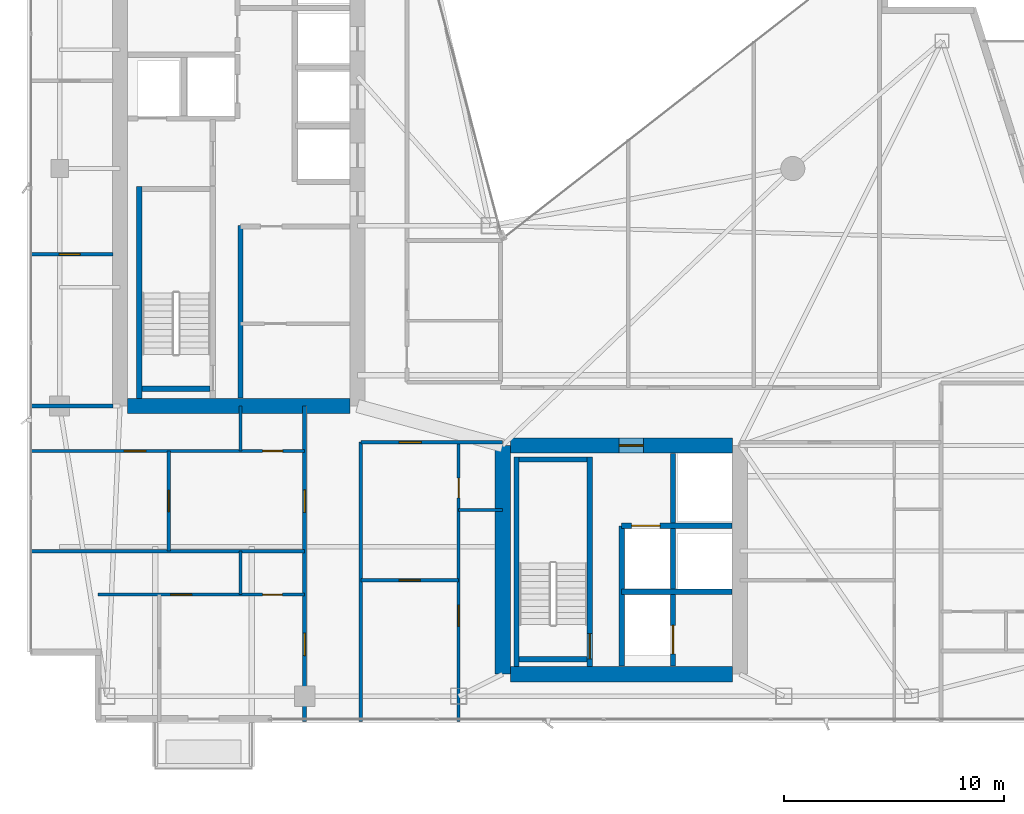
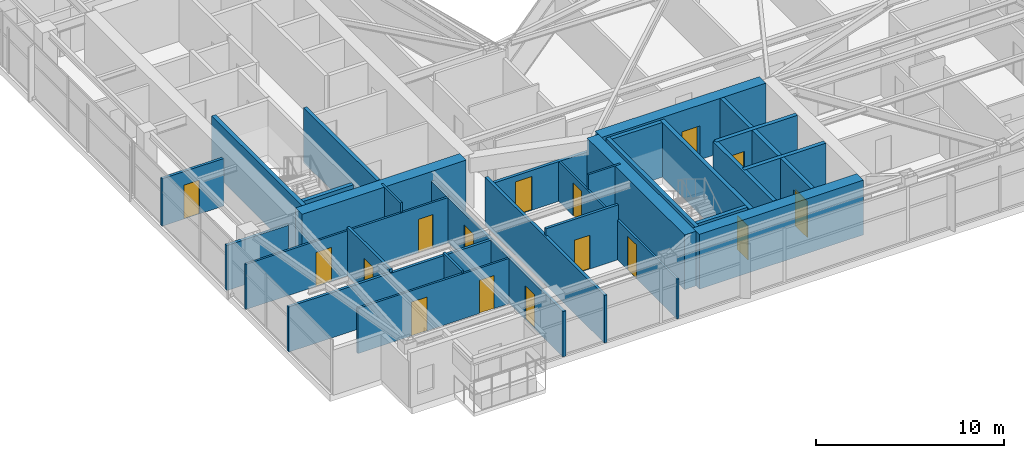
# One storey, part 23 of 29: 29 walls, 16 doors, 16 openings.
"""IFC4 building model written with IfcOpenShell, lengths in metres."""

from ifc_helpers import new_model, si_unit, direction, frame, frame_2d, origin, place, context, subcontext, project, spatial, rectangle, extrude, material, layer, layer_set, type_object, element, fill, save


model = new_model("IFC4")

# Units and contexts
model_context = context("Model", 3, precision=1e-05, world=origin(), true_north=direction((0.0, 1.0)))
body_context = subcontext(model_context, "Body", "Model", "MODEL_VIEW")
ifc_project = project(units=[si_unit("LENGTHUNIT", "METRE"), si_unit("AREAUNIT", "SQUARE_METRE"), si_unit("VOLUMEUNIT", "CUBIC_METRE"), si_unit("PLANEANGLEUNIT", "RADIAN"), si_unit("MASSUNIT", "GRAM", prefix="KILO")], contexts=[model_context])

# Site, building, storey
site_placement = place(None, origin())
site = spatial("IfcSite", under=ifc_project, at=site_placement, CompositionType="ELEMENT")
building_placement = place(site_placement, origin())
building = spatial("IfcBuilding", under=site, at=building_placement, Name="Calvorn Quay Hotel", CompositionType="ELEMENT")
storey_placement = place(building_placement, frame((0.0, 0.0, 199.60009765625)))
storey = spatial("IfcBuildingStorey", under=building, at=storey_placement, Name="L49", CompositionType="ELEMENT", Elevation=199.60009765625)

# Walls
ifc_material_1 = material(Name="Concrete C45", Category="concrete")
ifc_layer_1 = layer(ifc_material_1, 0.699951171875)
ifc_layer_set_1 = layer_set([ifc_layer_1], Name="WL-CORE-700")
wall_type_1 = type_object("IfcWallType", Name="WL-CORE-700", PredefinedType="SHEAR", material=ifc_layer_set_1)
wall_1_placement = place(storey_placement, frame((4.550048828125, 16.800048828125, 0.0), z_axis=(0.0, 0.0, 1.0), x_axis=(1.0, 0.0, 0.0)))
element("IfcWall", 1, at=wall_1_placement, inside=storey, type_object=wall_type_1, Name="West Core Shear Wall S (L49)", PredefinedType="SHEAR", context=body_context, shape_type="SweptSolid", body=[
    extrude(rectangle(XDim=10.099853515625, YDim=0.699951171875, at=frame_2d((5.0498046875, 0.0))), origin(), (0.0, 0.0, 1.0), 3.559814453125),
])
wall_2_placement = place(storey_placement, frame((21.60009765625, 4.60009765625, 0.0), z_axis=(0.0, 0.0, 1.0), x_axis=(0.0, 1.0, 0.0)))
element("IfcWall", 2, at=wall_2_placement, inside=storey, type_object=wall_type_1, Name="East Core Shear Wall W (L49)", PredefinedType="SHEAR", context=body_context, shape_type="SweptSolid", body=[
    extrude(rectangle(XDim=10.39990234375, YDim=0.699951171875, at=frame_2d((5.199951171875, 0.0))), origin(), (0.0, 0.0, 1.0), 3.559814453125),
])

# Wall, opening, door
wall_3_placement = place(storey_placement, frame((21.949951171875, 15.0, 0.0), z_axis=(0.0, 0.0, 1.0), x_axis=(1.0, 0.0, 0.0)))
wall_3 = element("IfcWall", 3, at=wall_3_placement, inside=storey, type_object=wall_type_1, Name="East Core Shear Wall N (L49)", PredefinedType="SHEAR", context=body_context, shape_type="SweptSolid", body=[
    extrude(rectangle(XDim=10.10009765625, YDim=0.699951171875, at=frame_2d((5.050048828125, 0.0))), origin(), (0.0, 0.0, 1.0), 3.559814453125),
])
opening_1_placement = place(wall_3_placement, frame((4.949951171875, 0.0, 0.0)))
opening_1 = element("IfcOpeningElement", 4, at=opening_1_placement, cuts=wall_3, Name="Opening D-L49-FLE", PredefinedType="OPENING", context=body_context, shape_type="SweptSolid", body=[
    extrude(rectangle(XDim=1.10009765625, YDim=2.199951171875, at=frame_2d((0.550048828125, 1.10009765625))), frame((0.0, 0.35986328125, 0.0), z_axis=(0.0, -1.0, 0.0), x_axis=(1.0, 0.0, 0.0)), (0.0, 0.0, 1.0), 0.719970703125),
])
ifc_material_2 = material(Name="Smoke-Sealed Steel Class A Fire Door", Category="steel")
door_type_1 = type_object("IfcDoorType", Name="DR-FFLOBBY-1100", OperationType="NOTDEFINED", PredefinedType="DOOR", material=ifc_material_2)
door_1_placement = place(opening_1_placement, origin())
door_1 = element("IfcDoor", 5, at=door_1_placement, inside=storey, type_object=door_type_1, Name="East Firefighting Lobby Fire Door (L49)", OperationType="SINGLE_SWING_LEFT", OverallHeight=2.199951171875, OverallWidth=1.10009765625, PredefinedType="DOOR", context=body_context, shape_type="SweptSolid", body=[
    extrude(rectangle(XDim=1.10009765625, YDim=2.199951171875, at=frame_2d((0.550048828125, 1.10009765625))), frame((0.0, 0.02490234375, 0.0), z_axis=(0.0, -1.0, 0.0), x_axis=(1.0, 0.0, 0.0)), (0.0, 0.0, 1.0), 0.050048828125),
])
fill(opening_1, door_1)

# Walls
wall_4_placement = place(storey_placement, frame((21.949951171875, 4.60009765625, 0.0), z_axis=(0.0, 0.0, 1.0), x_axis=(1.0, 0.0, 0.0)))
element("IfcWall", 6, at=wall_4_placement, inside=storey, type_object=wall_type_1, Name="East Core Shear Wall S (L49)", PredefinedType="SHEAR", context=body_context, shape_type="SweptSolid", body=[
    extrude(rectangle(XDim=10.10009765625, YDim=0.699951171875, at=frame_2d((5.050048828125, 0.0))), origin(), (0.0, 0.0, 1.0), 3.559814453125),
])
ifc_material_3 = material(Name="Acoustic Fireboard Steel-Stud Partition", Category="steel")
ifc_layer_2 = layer(ifc_material_3, 0.179931640625)
ifc_layer_set_2 = layer_set([ifc_layer_2], Name="WL-CORR-FIRE-180")
wall_type_2 = type_object("IfcWallType", Name="WL-CORR-FIRE-180", PredefinedType="PARTITIONING", material=ifc_layer_set_2)
wall_5_placement = place(storey_placement, frame((0.080078125, 16.800048828125, 0.0), z_axis=(0.0, 0.0, 1.0), x_axis=(1.0, 0.0, 0.0)))
element("IfcWall", 7, at=wall_5_placement, inside=storey, type_object=wall_type_2, Name="Partition Wall L49-WL-WBAY-S-WALL", PredefinedType="PARTITIONING", context=body_context, shape_type="SweptSolid", body=[
    extrude(rectangle(XDim=3.7998046875, YDim=0.179931640625, at=frame_2d((1.89990234375, 0.0))), origin(), (0.0, 0.0, 1.0), 2.93994140625),
])

# Wall, openings, doors
wall_6_placement = place(storey_placement, frame((12.60009765625, 2.43994140625, 0.0), z_axis=(0.0, 0.0, 1.0), x_axis=(0.0, 1.0, 0.0)))
wall_6 = element("IfcWall", 8, at=wall_6_placement, inside=storey, type_object=wall_type_2, Name="Partition Wall L49-WL-CORR-SW-LEG-W", PredefinedType="PARTITIONING", context=body_context, shape_type="SweptSolid", body=[
    extrude(rectangle(XDim=14.360107421875, YDim=0.179931640625, at=frame_2d((7.18017578125, 0.0))), origin(), (0.0, 0.0, 1.0), 2.93994140625),
])
opening_2_placement = place(wall_6_placement, frame((3.010009765625, 0.0, 0.0)))
opening_2 = element("IfcOpeningElement", 9, at=opening_2_placement, cuts=wall_6, Name="Opening D-L49-U01", PredefinedType="OPENING", context=body_context, shape_type="SweptSolid", body=[
    extrude(rectangle(XDim=1.02001953125, YDim=2.199951171875, at=frame_2d((0.510009765625, 1.10009765625))), frame((0.0, 0.099853515625, 0.0), z_axis=(0.0, -1.0, 0.0), x_axis=(1.0, 0.0, 0.0)), (0.0, 0.0, 1.0), 0.199951171875),
])
opening_3_placement = place(wall_6_placement, frame((9.52001953125, 0.0, 0.0)))
opening_3 = element("IfcOpeningElement", 10, at=opening_3_placement, cuts=wall_6, Name="Opening D-L49-U02", PredefinedType="OPENING", context=body_context, shape_type="SweptSolid", body=[
    extrude(rectangle(XDim=1.02001953125, YDim=2.199951171875, at=frame_2d((0.510009765625, 1.10009765625))), frame((0.0, 0.099853515625, 0.0), z_axis=(0.0, -1.0, 0.0), x_axis=(1.0, 0.0, 0.0)), (0.0, 0.0, 1.0), 0.199951171875),
])
ifc_material_4 = material(Name="Solid-Core Walnut Veneer Hotel Fire Door")
door_type_2 = type_object("IfcDoorType", Name="DR-GUEST-ENTRY-1020", OperationType="NOTDEFINED", PredefinedType="DOOR", material=ifc_material_4)
door_2_placement = place(opening_2_placement, origin())
door_2 = element("IfcDoor", 11, at=door_2_placement, inside=storey, type_object=door_type_2, Name="South-West Unit Door U01 (L49)", OperationType="SINGLE_SWING_LEFT", OverallHeight=2.199951171875, OverallWidth=1.02001953125, PredefinedType="DOOR", context=body_context, shape_type="SweptSolid", body=[
    extrude(rectangle(XDim=1.02001953125, YDim=2.199951171875, at=frame_2d((0.510009765625, 1.10009765625))), frame((0.0, 0.02490234375, 0.0), z_axis=(0.0, -1.0, 0.0), x_axis=(1.0, 0.0, 0.0)), (0.0, 0.0, 1.0), 0.050048828125),
])
fill(opening_2, door_2)
door_3_placement = place(opening_3_placement, origin())
door_3 = element("IfcDoor", 12, at=door_3_placement, inside=storey, type_object=door_type_2, Name="South-West Unit Door U02 (L49)", OperationType="SINGLE_SWING_RIGHT", OverallHeight=2.199951171875, OverallWidth=1.02001953125, PredefinedType="DOOR", context=body_context, shape_type="SweptSolid", body=[
    extrude(rectangle(XDim=1.02001953125, YDim=2.199951171875, at=frame_2d((0.510009765625, 1.10009765625))), frame((0.0, 0.02490234375, 0.0), z_axis=(0.0, -1.0, 0.0), x_axis=(1.0, 0.0, 0.0)), (0.0, 0.0, 1.0), 0.050048828125),
])
fill(opening_3, door_3)

# Wall
wall_7_placement = place(storey_placement, frame((15.14990234375, 2.43994140625, 0.0), z_axis=(0.0, 0.0, 1.0), x_axis=(0.0, 1.0, 0.0)))
element("IfcWall", 13, at=wall_7_placement, inside=storey, type_object=wall_type_2, Name="Partition Wall L49-WL-CORR-SW-W", PredefinedType="PARTITIONING", context=body_context, shape_type="SweptSolid", body=[
    extrude(rectangle(XDim=12.7099609375, YDim=0.179931640625, at=frame_2d((6.35498046875, 0.0))), origin(), (0.0, 0.0, 1.0), 3.08984375),
])

# Wall, opening, door
wall_8_placement = place(storey_placement, frame((15.14990234375, 15.14990234375, 0.0), z_axis=(0.0, 0.0, 1.0), x_axis=(1.0, 0.0, 0.0)))
wall_8 = element("IfcWall", 14, at=wall_8_placement, inside=storey, type_object=wall_type_2, Name="Partition Wall L49-WL-SC-CORR-S", PredefinedType="PARTITIONING", context=body_context, shape_type="SweptSolid", body=[
    extrude(rectangle(XDim=6.4501953125, YDim=0.179931640625, at=frame_2d((3.22509765625, 0.0))), origin(), (0.0, 0.0, 1.0), 2.58984375),
])
opening_4_placement = place(wall_8_placement, frame((1.739990234375, 0.0, 0.0)))
opening_4 = element("IfcOpeningElement", 15, at=opening_4_placement, cuts=wall_8, Name="Opening D-L49-U03", PredefinedType="OPENING", context=body_context, shape_type="SweptSolid", body=[
    extrude(rectangle(XDim=1.02001953125, YDim=2.199951171875, at=frame_2d((0.510009765625, 1.10009765625))), frame((0.0, 0.099853515625, 0.0), z_axis=(0.0, -1.0, 0.0), x_axis=(1.0, 0.0, 0.0)), (0.0, 0.0, 1.0), 0.199951171875),
])
door_4_placement = place(opening_4_placement, origin())
door_4 = element("IfcDoor", 16, at=door_4_placement, inside=storey, type_object=door_type_2, Name="Harbour Central Unit Door (L49)", OperationType="SINGLE_SWING_LEFT", OverallHeight=2.199951171875, OverallWidth=1.02001953125, PredefinedType="DOOR", context=body_context, shape_type="SweptSolid", body=[
    extrude(rectangle(XDim=1.02001953125, YDim=2.199951171875, at=frame_2d((0.510009765625, 1.10009765625))), frame((0.0, 0.02490234375, 0.0), z_axis=(0.0, -1.0, 0.0), x_axis=(1.0, 0.0, 0.0)), (0.0, 0.0, 1.0), 0.050048828125),
])
fill(opening_4, door_4)

# Wall
ifc_material_5 = material(Name="Moisture-Resistant Tile-Backed Partition")
ifc_layer_3 = layer(ifc_material_5, 0.125)
ifc_layer_set_3 = layer_set([ifc_layer_3], Name="WL-ENSUITE-125")
wall_type_3 = type_object("IfcWallType", Name="WL-ENSUITE-125", PredefinedType="PARTITIONING", material=ifc_layer_set_3)
wall_9_placement = place(storey_placement, frame((9.679931640625, 8.219970703125, 0.0), z_axis=(0.0, 0.0, 1.0), x_axis=(0.0, 1.0, 0.0)))
element("IfcWall", 17, at=wall_9_placement, inside=storey, type_object=wall_type_3, Name="Partition Wall L49-WL-U01-BDV", PredefinedType="PARTITIONING", context=body_context, shape_type="SweptSolid", body=[
    extrude(rectangle(XDim=1.97998046875, YDim=0.125, at=frame_2d((0.989990234375, 0.0))), origin(), (0.0, 0.0, 1.0), 3.08984375),
])

# Wall, openings, doors
wall_10_placement = place(storey_placement, frame((3.199951171875, 8.219970703125, 0.0), z_axis=(0.0, 0.0, 1.0), x_axis=(1.0, 0.0, 0.0)))
wall_10 = element("IfcWall", 18, at=wall_10_placement, inside=storey, type_object=wall_type_3, Name="Partition Wall L49-WL-U01-BH", PredefinedType="PARTITIONING", context=body_context, shape_type="SweptSolid", body=[
    extrude(rectangle(XDim=9.400146484375, YDim=0.125, at=frame_2d((4.7001953125, 0.0))), origin(), (0.0, 0.0, 1.0), 2.93994140625),
])
opening_5_placement = place(wall_10_placement, frame((3.300048828125, 0.0, 0.0)))
opening_5 = element("IfcOpeningElement", 19, at=opening_5_placement, cuts=wall_10, Name="Opening D-L49-S01", PredefinedType="OPENING", context=body_context, shape_type="SweptSolid", body=[
    extrude(rectangle(XDim=0.9599609375, YDim=2.199951171875, at=frame_2d((0.47998046875, 1.10009765625))), frame((0.0, 0.072509765625, 0.0), z_axis=(0.0, -1.0, 0.0), x_axis=(1.0, 0.0, 0.0)), (0.0, 0.0, 1.0), 0.14501953125),
])
opening_6_placement = place(wall_10_placement, frame((7.489990234375, 0.0, 0.0)))
opening_6 = element("IfcOpeningElement", 20, at=opening_6_placement, cuts=wall_10, Name="Opening D-L49-E01", PredefinedType="OPENING", context=body_context, shape_type="SweptSolid", body=[
    extrude(rectangle(XDim=0.89990234375, YDim=2.14990234375, at=frame_2d((0.449951171875, 1.074951171875))), frame((0.0, 0.072509765625, 0.0), z_axis=(0.0, -1.0, 0.0), x_axis=(1.0, 0.0, 0.0)), (0.0, 0.0, 1.0), 0.14501953125),
])
ifc_material_6 = material(Name="Moisture-Sealed Timber En-Suite Door", Category="wood")
door_type_3 = type_object("IfcDoorType", Name="DR-ENSUITE-900", OperationType="NOTDEFINED", PredefinedType="DOOR", material=ifc_material_6)
door_5_placement = place(opening_6_placement, origin())
door_5 = element("IfcDoor", 21, at=door_5_placement, inside=storey, type_object=door_type_3, Name="En-Suite Door 01", OperationType="SINGLE_SWING_RIGHT", OverallHeight=2.14990234375, OverallWidth=0.89990234375, PredefinedType="DOOR", context=body_context, shape_type="SweptSolid", body=[
    extrude(rectangle(XDim=0.89990234375, YDim=2.14990234375, at=frame_2d((0.449951171875, 1.074951171875))), frame((0.0, 0.02490234375, 0.0), z_axis=(0.0, -1.0, 0.0), x_axis=(1.0, 0.0, 0.0)), (0.0, 0.0, 1.0), 0.050048828125),
])
fill(opening_6, door_5)
ifc_material_7 = material(Name="Solid Timber Internal Suite Door", Category="wood")
door_type_4 = type_object("IfcDoorType", Name="DR-SUITE-INT-960", OperationType="NOTDEFINED", PredefinedType="DOOR", material=ifc_material_7)
door_6_placement = place(opening_5_placement, origin())
door_6 = element("IfcDoor", 22, at=door_6_placement, inside=storey, type_object=door_type_4, Name="Executive Study Door 01", OperationType="SINGLE_SWING_LEFT", OverallHeight=2.199951171875, OverallWidth=0.9599609375, PredefinedType="DOOR", context=body_context, shape_type="SweptSolid", body=[
    extrude(rectangle(XDim=0.9599609375, YDim=2.199951171875, at=frame_2d((0.47998046875, 1.10009765625))), frame((0.0, 0.02490234375, 0.0), z_axis=(0.0, -1.0, 0.0), x_axis=(1.0, 0.0, 0.0)), (0.0, 0.0, 1.0), 0.050048828125),
])
fill(opening_5, door_6)

# Wall
wall_11_placement = place(storey_placement, frame((9.679931640625, 14.75, 0.0), z_axis=(0.0, 0.0, 1.0), x_axis=(0.0, 1.0, 0.0)))
element("IfcWall", 23, at=wall_11_placement, inside=storey, type_object=wall_type_3, Name="Partition Wall L49-WL-U02-BDV", PredefinedType="PARTITIONING", context=body_context, shape_type="SweptSolid", body=[
    extrude(rectangle(XDim=2.050048828125, YDim=0.125, at=frame_2d((1.02490234375, 0.0))), origin(), (0.0, 0.0, 1.0), 3.559814453125),
])

# Wall, openings, doors
wall_12_placement = place(storey_placement, frame((0.080078125, 14.75, 0.0), z_axis=(0.0, 0.0, 1.0), x_axis=(1.0, 0.0, 0.0)))
wall_12 = element("IfcWall", 24, at=wall_12_placement, inside=storey, type_object=wall_type_3, Name="Partition Wall L49-WL-U02-BH", PredefinedType="PARTITIONING", context=body_context, shape_type="SweptSolid", body=[
    extrude(rectangle(XDim=12.52001953125, YDim=0.125, at=frame_2d((6.260009765625, 0.0))), origin(), (0.0, 0.0, 1.0), 2.93994140625),
])
opening_7_placement = place(wall_12_placement, frame((4.320068359375, 0.0, 0.0)))
opening_7 = element("IfcOpeningElement", 25, at=opening_7_placement, cuts=wall_12, Name="Opening D-L49-S02", PredefinedType="OPENING", context=body_context, shape_type="SweptSolid", body=[
    extrude(rectangle(XDim=0.9599609375, YDim=2.199951171875, at=frame_2d((0.47998046875, 1.10009765625))), frame((0.0, 0.072509765625, 0.0), z_axis=(0.0, -1.0, 0.0), x_axis=(1.0, 0.0, 0.0)), (0.0, 0.0, 1.0), 0.14501953125),
])
opening_8_placement = place(wall_12_placement, frame((10.610107421875, 0.0, 0.0)))
opening_8 = element("IfcOpeningElement", 26, at=opening_8_placement, cuts=wall_12, Name="Opening D-L49-E02", PredefinedType="OPENING", context=body_context, shape_type="SweptSolid", body=[
    extrude(rectangle(XDim=0.89990234375, YDim=2.14990234375, at=frame_2d((0.449951171875, 1.074951171875))), frame((0.0, 0.072509765625, 0.0), z_axis=(0.0, -1.0, 0.0), x_axis=(1.0, 0.0, 0.0)), (0.0, 0.0, 1.0), 0.14501953125),
])
door_7_placement = place(opening_8_placement, origin())
door_7 = element("IfcDoor", 27, at=door_7_placement, inside=storey, type_object=door_type_3, Name="En-Suite Door 02", OperationType="SINGLE_SWING_RIGHT", OverallHeight=2.14990234375, OverallWidth=0.89990234375, PredefinedType="DOOR", context=body_context, shape_type="SweptSolid", body=[
    extrude(rectangle(XDim=0.89990234375, YDim=2.14990234375, at=frame_2d((0.449951171875, 1.074951171875))), frame((0.0, 0.02490234375, 0.0), z_axis=(0.0, -1.0, 0.0), x_axis=(1.0, 0.0, 0.0)), (0.0, 0.0, 1.0), 0.050048828125),
])
fill(opening_8, door_7)
door_8_placement = place(opening_7_placement, origin())
door_8 = element("IfcDoor", 28, at=door_8_placement, inside=storey, type_object=door_type_4, Name="Executive Study Door 02", OperationType="SINGLE_SWING_LEFT", OverallHeight=2.199951171875, OverallWidth=0.9599609375, PredefinedType="DOOR", context=body_context, shape_type="SweptSolid", body=[
    extrude(rectangle(XDim=0.9599609375, YDim=2.199951171875, at=frame_2d((0.47998046875, 1.10009765625))), frame((0.0, 0.02490234375, 0.0), z_axis=(0.0, -1.0, 0.0), x_axis=(1.0, 0.0, 0.0)), (0.0, 0.0, 1.0), 0.050048828125),
])
fill(opening_7, door_8)

# Wall
wall_13_placement = place(storey_placement, frame((19.60009765625, 12.070068359375, 0.0), z_axis=(0.0, 0.0, 1.0), x_axis=(1.0, 0.0, 0.0)))
element("IfcWall", 29, at=wall_13_placement, inside=storey, type_object=wall_type_3, Name="Partition Wall L49-WL-U03-BDV", PredefinedType="PARTITIONING", context=body_context, shape_type="SweptSolid", body=[
    extrude(rectangle(XDim=2.0, YDim=0.125, at=frame_2d((1.0, 0.0))), origin(), (0.0, 0.0, 1.0), 3.559814453125),
])

# Wall, openings, doors
wall_14_placement = place(storey_placement, frame((19.60009765625, 2.43994140625, 0.0), z_axis=(0.0, 0.0, 1.0), x_axis=(0.0, 1.0, 0.0)))
wall_14 = element("IfcWall", 30, at=wall_14_placement, inside=storey, type_object=wall_type_3, Name="Partition Wall L49-WL-U03-BV", PredefinedType="PARTITIONING", context=body_context, shape_type="SweptSolid", body=[
    extrude(rectangle(XDim=12.7099609375, YDim=0.125, at=frame_2d((6.35498046875, 0.0))), origin(), (0.0, 0.0, 1.0), 2.58984375),
])
opening_9_placement = place(wall_14_placement, frame((4.340087890625, 0.0, 0.0)))
opening_9 = element("IfcOpeningElement", 31, at=opening_9_placement, cuts=wall_14, Name="Opening D-L49-S03", PredefinedType="OPENING", context=body_context, shape_type="SweptSolid", body=[
    extrude(rectangle(XDim=0.9599609375, YDim=2.199951171875, at=frame_2d((0.47998046875, 1.10009765625))), frame((0.0, 0.072509765625, 0.0), z_axis=(0.0, -1.0, 0.0), x_axis=(1.0, 0.0, 0.0)), (0.0, 0.0, 1.0), 0.14501953125),
])
opening_10_placement = place(wall_14_placement, frame((10.179931640625, 0.0, 0.0)))
opening_10 = element("IfcOpeningElement", 32, at=opening_10_placement, cuts=wall_14, Name="Opening D-L49-E03", PredefinedType="OPENING", context=body_context, shape_type="SweptSolid", body=[
    extrude(rectangle(XDim=0.89990234375, YDim=2.14990234375, at=frame_2d((0.449951171875, 1.074951171875))), frame((0.0, 0.072509765625, 0.0), z_axis=(0.0, -1.0, 0.0), x_axis=(1.0, 0.0, 0.0)), (0.0, 0.0, 1.0), 0.14501953125),
])
door_9_placement = place(opening_10_placement, origin())
door_9 = element("IfcDoor", 33, at=door_9_placement, inside=storey, type_object=door_type_3, Name="En-Suite Door 03", OperationType="SINGLE_SWING_RIGHT", OverallHeight=2.14990234375, OverallWidth=0.89990234375, PredefinedType="DOOR", context=body_context, shape_type="SweptSolid", body=[
    extrude(rectangle(XDim=0.89990234375, YDim=2.14990234375, at=frame_2d((0.449951171875, 1.074951171875))), frame((0.0, 0.02490234375, 0.0), z_axis=(0.0, -1.0, 0.0), x_axis=(1.0, 0.0, 0.0)), (0.0, 0.0, 1.0), 0.050048828125),
])
fill(opening_10, door_9)
door_10_placement = place(opening_9_placement, origin())
door_10 = element("IfcDoor", 34, at=door_10_placement, inside=storey, type_object=door_type_4, Name="Executive Study Door 03", OperationType="SINGLE_SWING_LEFT", OverallHeight=2.199951171875, OverallWidth=0.9599609375, PredefinedType="DOOR", context=body_context, shape_type="SweptSolid", body=[
    extrude(rectangle(XDim=0.9599609375, YDim=2.199951171875, at=frame_2d((0.47998046875, 1.10009765625))), frame((0.0, 0.02490234375, 0.0), z_axis=(0.0, -1.0, 0.0), x_axis=(1.0, 0.0, 0.0)), (0.0, 0.0, 1.0), 0.050048828125),
])
fill(opening_9, door_10)

# Wall, opening, door
ifc_material_8 = material(Name="Double-Stud Acoustic Gypsum Partition")
ifc_layer_4 = layer(ifc_material_8, 0.159912109375)
ifc_layer_set_4 = layer_set([ifc_layer_4], Name="WL-INTERSUITE-160")
wall_type_4 = type_object("IfcWallType", Name="WL-INTERSUITE-160", PredefinedType="PARTITIONING", material=ifc_layer_set_4)
wall_15_placement = place(storey_placement, frame((0.080078125, 23.699951171875, 0.0), z_axis=(0.0, 0.0, 1.0), x_axis=(1.0, 0.0, 0.0)))
wall_15 = element("IfcWall", 35, at=wall_15_placement, inside=storey, type_object=wall_type_4, Name="Partition Wall L49-WL-WBAY-DIVA", PredefinedType="PARTITIONING", context=body_context, shape_type="SweptSolid", body=[
    extrude(rectangle(XDim=3.7998046875, YDim=0.159912109375, at=frame_2d((1.89990234375, 0.0))), origin(), (0.0, 0.0, 1.0), 3.08984375),
])
opening_11_placement = place(wall_15_placement, frame((1.35009765625, 0.0, 0.0)))
opening_11 = element("IfcOpeningElement", 36, at=opening_11_placement, cuts=wall_15, Name="Opening D-L49-WBA", PredefinedType="OPENING", context=body_context, shape_type="SweptSolid", body=[
    extrude(rectangle(XDim=0.9599609375, YDim=2.199951171875, at=frame_2d((0.47998046875, 1.10009765625))), frame((0.0, 0.08984375, 0.0), z_axis=(0.0, -1.0, 0.0), x_axis=(1.0, 0.0, 0.0)), (0.0, 0.0, 1.0), 0.179931640625),
])
door_11_placement = place(opening_11_placement, origin())
door_11 = element("IfcDoor", 37, at=door_11_placement, inside=storey, type_object=door_type_4, Name="West South Connecting Door (L49)", OperationType="SINGLE_SWING_LEFT", OverallHeight=2.199951171875, OverallWidth=0.9599609375, PredefinedType="DOOR", context=body_context, shape_type="SweptSolid", body=[
    extrude(rectangle(XDim=0.9599609375, YDim=2.199951171875, at=frame_2d((0.47998046875, 1.10009765625))), frame((0.0, 0.02490234375, 0.0), z_axis=(0.0, -1.0, 0.0), x_axis=(1.0, 0.0, 0.0)), (0.0, 0.0, 1.0), 0.050048828125),
])
fill(opening_11, door_11)

wall_16_placement = place(storey_placement, frame((6.419921875, 10.199951171875, 0.0), z_axis=(0.0, 0.0, 1.0), x_axis=(0.0, 1.0, 0.0)))
wall_16 = element("IfcWall", 38, at=wall_16_placement, inside=storey, type_object=wall_type_4, Name="Partition Wall L49-WL-U02-MSP", PredefinedType="PARTITIONING", context=body_context, shape_type="SweptSolid", body=[
    extrude(rectangle(XDim=4.550048828125, YDim=0.159912109375, at=frame_2d((2.27490234375, 0.0))), origin(), (0.0, 0.0, 1.0), 3.139892578125),
])
opening_12_placement = place(wall_16_placement, frame((1.800048828125, 0.0, 0.0)))
opening_12 = element("IfcOpeningElement", 39, at=opening_12_placement, cuts=wall_16, Name="Opening D-L49-M02", PredefinedType="OPENING", context=body_context, shape_type="SweptSolid", body=[
    extrude(rectangle(XDim=0.9599609375, YDim=2.199951171875, at=frame_2d((0.47998046875, 1.10009765625))), frame((0.0, 0.08984375, 0.0), z_axis=(0.0, -1.0, 0.0), x_axis=(1.0, 0.0, 0.0)), (0.0, 0.0, 1.0), 0.179931640625),
])
door_12_placement = place(opening_12_placement, origin())
door_12 = element("IfcDoor", 40, at=door_12_placement, inside=storey, type_object=door_type_4, Name="Suite Bedroom Door 02", OperationType="SINGLE_SWING_LEFT", OverallHeight=2.199951171875, OverallWidth=0.9599609375, PredefinedType="DOOR", context=body_context, shape_type="SweptSolid", body=[
    extrude(rectangle(XDim=0.9599609375, YDim=2.199951171875, at=frame_2d((0.47998046875, 1.10009765625))), frame((0.0, 0.02490234375, 0.0), z_axis=(0.0, -1.0, 0.0), x_axis=(1.0, 0.0, 0.0)), (0.0, 0.0, 1.0), 0.050048828125),
])
fill(opening_12, door_12)

# Wall
wall_17_placement = place(storey_placement, frame((0.080078125, 10.199951171875, 0.0), z_axis=(0.0, 0.0, 1.0), x_axis=(1.0, 0.0, 0.0)))
element("IfcWall", 41, at=wall_17_placement, inside=storey, type_object=wall_type_4, Name="Partition Wall L49-WL-SW-DIV-1", PredefinedType="PARTITIONING", context=body_context, shape_type="SweptSolid", body=[
    extrude(rectangle(XDim=12.52001953125, YDim=0.159912109375, at=frame_2d((6.260009765625, 0.0))), origin(), (0.0, 0.0, 1.0), 2.93994140625),
])

# Wall, opening, door
wall_18_placement = place(storey_placement, frame((15.14990234375, 8.8701171875, 0.0), z_axis=(0.0, 0.0, 1.0), x_axis=(1.0, 0.0, 0.0)))
wall_18 = element("IfcWall", 42, at=wall_18_placement, inside=storey, type_object=wall_type_4, Name="Partition Wall L49-WL-U03-MSP", PredefinedType="PARTITIONING", context=body_context, shape_type="SweptSolid", body=[
    extrude(rectangle(XDim=4.4501953125, YDim=0.159912109375, at=frame_2d((2.22509765625, 0.0))), origin(), (0.0, 0.0, 1.0), 3.559814453125),
])
opening_13_placement = place(wall_18_placement, frame((1.75, 0.0, 0.0)))
opening_13 = element("IfcOpeningElement", 43, at=opening_13_placement, cuts=wall_18, Name="Opening D-L49-M03", PredefinedType="OPENING", context=body_context, shape_type="SweptSolid", body=[
    extrude(rectangle(XDim=0.9599609375, YDim=2.199951171875, at=frame_2d((0.47998046875, 1.10009765625))), frame((0.0, 0.08984375, 0.0), z_axis=(0.0, -1.0, 0.0), x_axis=(1.0, 0.0, 0.0)), (0.0, 0.0, 1.0), 0.179931640625),
])
door_13_placement = place(opening_13_placement, origin())
door_13 = element("IfcDoor", 44, at=door_13_placement, inside=storey, type_object=door_type_4, Name="Suite Bedroom Door 03", OperationType="SINGLE_SWING_LEFT", OverallHeight=2.199951171875, OverallWidth=0.9599609375, PredefinedType="DOOR", context=body_context, shape_type="SweptSolid", body=[
    extrude(rectangle(XDim=0.9599609375, YDim=2.199951171875, at=frame_2d((0.47998046875, 1.10009765625))), frame((0.0, 0.02490234375, 0.0), z_axis=(0.0, -1.0, 0.0), x_axis=(1.0, 0.0, 0.0)), (0.0, 0.0, 1.0), 0.050048828125),
])
fill(opening_13, door_13)

# Walls
ifc_material_9 = material(Name="Autoclaved Aerated Masonry Block", Category="masonry")
ifc_layer_5 = layer(ifc_material_9, 0.219970703125)
ifc_layer_set_5 = layer_set([ifc_layer_5], Name="WL-LOBBY-FIRE-220")
wall_type_5 = type_object("IfcWallType", Name="WL-LOBBY-FIRE-220", PredefinedType="SOLIDWALL", material=ifc_layer_set_5)
wall_19_placement = place(storey_placement, frame((9.679931640625, 17.169921875, 0.0), z_axis=(0.0, 0.0, 1.0), x_axis=(0.0, 1.0, 0.0)))
element("IfcWall", 45, at=wall_19_placement, inside=storey, type_object=wall_type_5, Name="Partition Wall L49-WL-CWW-STW-HALL-E", PredefinedType="SOLIDWALL", context=body_context, shape_type="SweptSolid", body=[
    extrude(rectangle(XDim=7.830078125, YDim=0.219970703125, at=frame_2d((3.9150390625, 0.0))), origin(), (0.0, 0.0, 1.0), 3.559814453125),
])
ifc_material_10 = material(Name="Concrete C40", Category="concrete")
ifc_layer_6 = layer(ifc_material_10, 0.239990234375)
ifc_layer_set_6 = layer_set([ifc_layer_6], Name="WL-SHAFT-240")
wall_type_6 = type_object("IfcWallType", Name="WL-SHAFT-240", PredefinedType="SOLIDWALL", material=ifc_layer_set_6)
wall_20_placement = place(storey_placement, frame((5.080078125, 17.14990234375, 0.0), z_axis=(0.0, 0.0, 1.0), x_axis=(0.0, 1.0, 0.0)))
element("IfcWall", 46, at=wall_20_placement, inside=storey, type_object=wall_type_6, Name="Stair STW Shaft Wall W (L49)", PredefinedType="SOLIDWALL", context=body_context, shape_type="SweptSolid", body=[
    extrude(rectangle(XDim=9.64013671875, YDim=0.239990234375, at=frame_2d((4.820068359375, 0.0))), origin(), (0.0, 0.0, 1.0), 3.559814453125),
])
wall_21_placement = place(storey_placement, frame((5.199951171875, 17.580078125, 0.0), z_axis=(0.0, 0.0, 1.0), x_axis=(1.0, 0.0, 0.0)))
element("IfcWall", 47, at=wall_21_placement, inside=storey, type_object=wall_type_6, Name="Stair STW Shaft Wall S (L49)", PredefinedType="SOLIDWALL", context=body_context, shape_type="SweptSolid", body=[
    extrude(rectangle(XDim=3.10009765625, YDim=0.239990234375, at=frame_2d((1.550048828125, 0.0))), origin(), (0.0, 0.0, 1.0), 3.559814453125),
])
wall_22_placement = place(storey_placement, frame((22.22998046875, 4.949951171875, 0.0), z_axis=(0.0, 0.0, 1.0), x_axis=(0.0, 1.0, 0.0)))
element("IfcWall", 48, at=wall_22_placement, inside=storey, type_object=wall_type_6, Name="Stair STE Shaft Wall W (L49)", PredefinedType="SOLIDWALL", context=body_context, shape_type="SweptSolid", body=[
    extrude(rectangle(XDim=9.5400390625, YDim=0.239990234375, at=frame_2d((4.77001953125, 0.0))), origin(), (0.0, 0.0, 1.0), 3.559814453125),
])

# Wall, opening, door
wall_23_placement = place(storey_placement, frame((25.570068359375, 4.949951171875, 0.0), z_axis=(0.0, 0.0, 1.0), x_axis=(0.0, 1.0, 0.0)))
wall_23 = element("IfcWall", 49, at=wall_23_placement, inside=storey, type_object=wall_type_6, Name="Stair STE Shaft Wall E (L49)", PredefinedType="SOLIDWALL", context=body_context, shape_type="SweptSolid", body=[
    extrude(rectangle(XDim=9.5400390625, YDim=0.239990234375, at=frame_2d((4.77001953125, 0.0))), origin(), (0.0, 0.0, 1.0), 3.559814453125),
])
opening_14_placement = place(wall_23_placement, frame((0.35009765625, 0.0, 0.0)))
opening_14 = element("IfcOpeningElement", 50, at=opening_14_placement, cuts=wall_23, Name="Opening D-L49-STE", PredefinedType="OPENING", context=body_context, shape_type="SweptSolid", body=[
    extrude(rectangle(XDim=1.14990234375, YDim=2.199951171875, at=frame_2d((0.574951171875, 1.10009765625))), frame((0.0, 0.1298828125, 0.0), z_axis=(0.0, -1.0, 0.0), x_axis=(1.0, 0.0, 0.0)), (0.0, 0.0, 1.0), 0.260009765625),
])
ifc_material_11 = material(Name="Galvanised Steel Class A Fire Door", Category="steel")
door_type_5 = type_object("IfcDoorType", Name="DR-STAIR-SMOKE-1150", OperationType="NOTDEFINED", PredefinedType="DOOR", material=ifc_material_11)
door_14_placement = place(opening_14_placement, origin())
door_14 = element("IfcDoor", 51, at=door_14_placement, inside=storey, type_object=door_type_5, Name="Stair ST-E Fire Door (L49)", OperationType="SINGLE_SWING_RIGHT", OverallHeight=2.199951171875, OverallWidth=1.14990234375, PredefinedType="DOOR", context=body_context, shape_type="SweptSolid", body=[
    extrude(rectangle(XDim=1.14990234375, YDim=2.199951171875, at=frame_2d((0.574951171875, 1.10009765625))), frame((0.0, 0.02490234375, 0.0), z_axis=(0.0, -1.0, 0.0), x_axis=(1.0, 0.0, 0.0)), (0.0, 0.0, 1.0), 0.050048828125),
])
fill(opening_14, door_14)

# Walls
for number, where, z_axis, x_axis, name in (
    (52, (22.35009765625, 5.280029296875, 0.0), (0.0, 0.0, 1.0), (1.0, 0.0, 0.0), "Stair STE Shaft Wall S (L49)"),
    (53, (22.35009765625, 14.3701171875, 0.0), (0.0, 0.0, 1.0), (1.0, 0.0, 0.0), "Stair STE Shaft Wall N (L49)"),
):
    element("IfcWall", number, at=place(storey_placement, frame(where, z_axis=z_axis, x_axis=x_axis)), inside=storey, type_object=wall_type_6, Name=name, PredefinedType="SOLIDWALL", context=body_context, shape_type="SweptSolid", body=[
        extrude(rectangle(XDim=3.099853515625, YDim=0.239990234375, at=frame_2d((1.5498046875, 0.0))), origin(), (0.0, 0.0, 1.0), 3.559814453125),
    ])
wall_24_placement = place(storey_placement, frame((27.02001953125, 4.969970703125, 0.0), z_axis=(0.0, 0.0, 1.0), x_axis=(0.0, 1.0, 0.0)))
element("IfcWall", 54, at=wall_24_placement, inside=storey, type_object=wall_type_6, Name="Partition Wall L49-WL-CWE-SH-W", PredefinedType="SOLIDWALL", context=body_context, shape_type="SweptSolid", body=[
    extrude(rectangle(XDim=6.380126953125, YDim=0.239990234375, at=frame_2d((3.18994140625, 0.0))), origin(), (0.0, 0.0, 1.0), 3.559814453125),
])

# Wall, opening, door
wall_25_placement = place(storey_placement, frame((27.02001953125, 11.35009765625, 0.0), z_axis=(0.0, 0.0, 1.0), x_axis=(1.0, 0.0, 0.0)))
wall_25 = element("IfcWall", 55, at=wall_25_placement, inside=storey, type_object=wall_type_6, Name="Partition Wall L49-WL-CWE-FFL-S", PredefinedType="SOLIDWALL", context=body_context, shape_type="SweptSolid", body=[
    extrude(rectangle(XDim=5.010009765625, YDim=0.239990234375, at=frame_2d((2.5048828125, 0.0))), origin(), (0.0, 0.0, 1.0), 3.559814453125),
])
opening_15_placement = place(wall_25_placement, frame((0.449951171875, 0.0, 0.0)))
opening_15 = element("IfcOpeningElement", 56, at=opening_15_placement, cuts=wall_25, Name="Opening LD-L49-FLE1", PredefinedType="OPENING", context=body_context, shape_type="SweptSolid", body=[
    extrude(rectangle(XDim=1.300048828125, YDim=2.35009765625, at=frame_2d((0.64990234375, 1.175048828125))), frame((0.0, 0.1298828125, 0.0), z_axis=(0.0, -1.0, 0.0), x_axis=(1.0, 0.0, 0.0)), (0.0, 0.0, 1.0), 0.260009765625),
])
ifc_material_12 = material(Name="Champagne-Bronze Sliding Express Lift Landing Door")
door_type_6 = type_object("IfcDoorType", Name="DR-LIFT-SHUTTLE-1300", OperationType="NOTDEFINED", PredefinedType="DOOR", material=ifc_material_12)
door_15_placement = place(opening_15_placement, origin())
door_15 = element("IfcDoor", 57, at=door_15_placement, inside=storey, type_object=door_type_6, Name="Firefighting Lift FL-E1 Landing Door (L49)", OperationType="DOUBLE_DOOR_SLIDING", OverallHeight=2.35009765625, OverallWidth=1.300048828125, PredefinedType="DOOR", context=body_context, shape_type="SweptSolid", body=[
    extrude(rectangle(XDim=1.300048828125, YDim=2.35009765625, at=frame_2d((0.64990234375, 1.175048828125))), frame((0.0, 0.02490234375, 0.0), z_axis=(0.0, -1.0, 0.0), x_axis=(1.0, 0.0, 0.0)), (0.0, 0.0, 1.0), 0.050048828125),
])
fill(opening_15, door_15)

# Wall
wall_26_placement = place(storey_placement, frame((27.02001953125, 8.35009765625, 0.0), z_axis=(0.0, 0.0, 1.0), x_axis=(1.0, 0.0, 0.0)))
element("IfcWall", 58, at=wall_26_placement, inside=storey, type_object=wall_type_6, Name="Partition Wall L49-WL-CWE-SL-N", PredefinedType="SOLIDWALL", context=body_context, shape_type="SweptSolid", body=[
    extrude(rectangle(XDim=5.010009765625, YDim=0.239990234375, at=frame_2d((2.5048828125, 0.0))), origin(), (0.0, 0.0, 1.0), 3.559814453125),
])

# Wall, opening, door
wall_27_placement = place(storey_placement, frame((29.35009765625, 4.969970703125, 0.0), z_axis=(0.0, 0.0, 1.0), x_axis=(0.0, 1.0, 0.0)))
wall_27 = element("IfcWall", 59, at=wall_27_placement, inside=storey, type_object=wall_type_6, Name="Partition Wall L49-WL-CWE-OB-W", PredefinedType="SOLIDWALL", context=body_context, shape_type="SweptSolid", body=[
    extrude(rectangle(XDim=9.659912109375, YDim=0.239990234375, at=frame_2d((4.830078125, 0.0))), origin(), (0.0, 0.0, 1.0), 3.559814453125),
])
opening_16_placement = place(wall_27_placement, frame((0.550048828125, 0.0, 0.0)))
opening_16 = element("IfcOpeningElement", 60, at=opening_16_placement, cuts=wall_27, Name="Opening LD-L49-SLEI", PredefinedType="OPENING", context=body_context, shape_type="SweptSolid", body=[
    extrude(rectangle(XDim=1.300048828125, YDim=2.35009765625, at=frame_2d((0.64990234375, 1.175048828125))), frame((0.0, 0.1298828125, 0.0), z_axis=(0.0, -1.0, 0.0), x_axis=(1.0, 0.0, 0.0)), (0.0, 0.0, 1.0), 0.260009765625),
])
door_16_placement = place(opening_16_placement, origin())
door_16 = element("IfcDoor", 61, at=door_16_placement, inside=storey, type_object=door_type_6, Name="Service Lift SL-E1 Landing Door (L49)", OperationType="DOUBLE_DOOR_SLIDING", OverallHeight=2.35009765625, OverallWidth=1.300048828125, PredefinedType="DOOR", context=body_context, shape_type="SweptSolid", body=[
    extrude(rectangle(XDim=1.300048828125, YDim=2.35009765625, at=frame_2d((0.64990234375, 1.175048828125))), frame((0.0, 0.02490234375, 0.0), z_axis=(0.0, -1.0, 0.0), x_axis=(1.0, 0.0, 0.0)), (0.0, 0.0, 1.0), 0.050048828125),
])
fill(opening_16, door_16)

save(model, "model.ifc")
